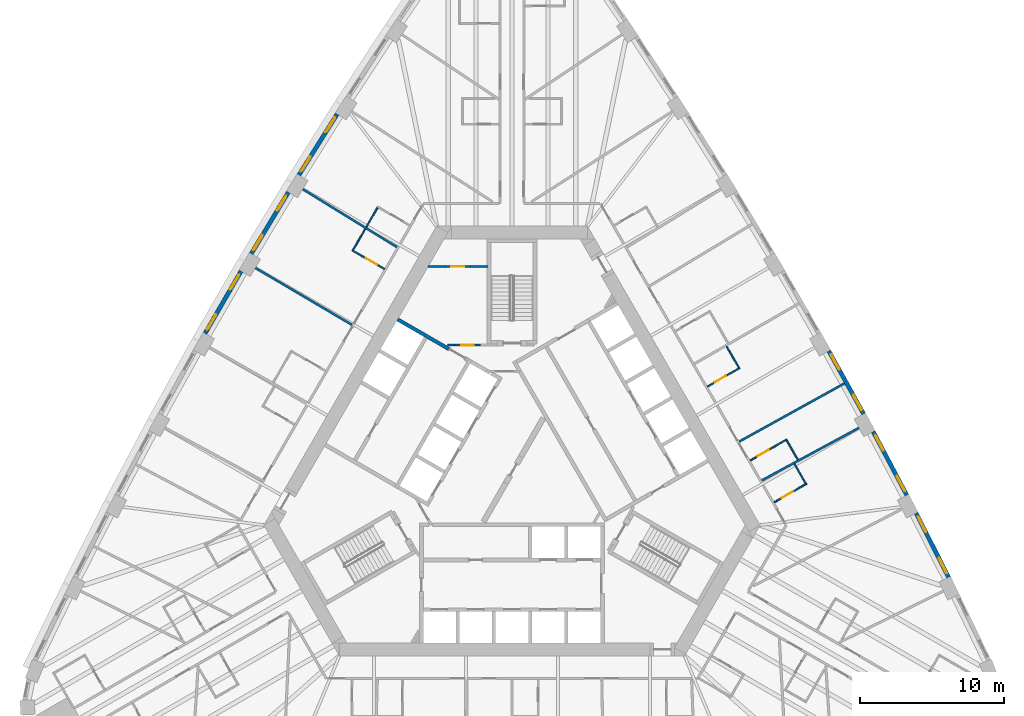
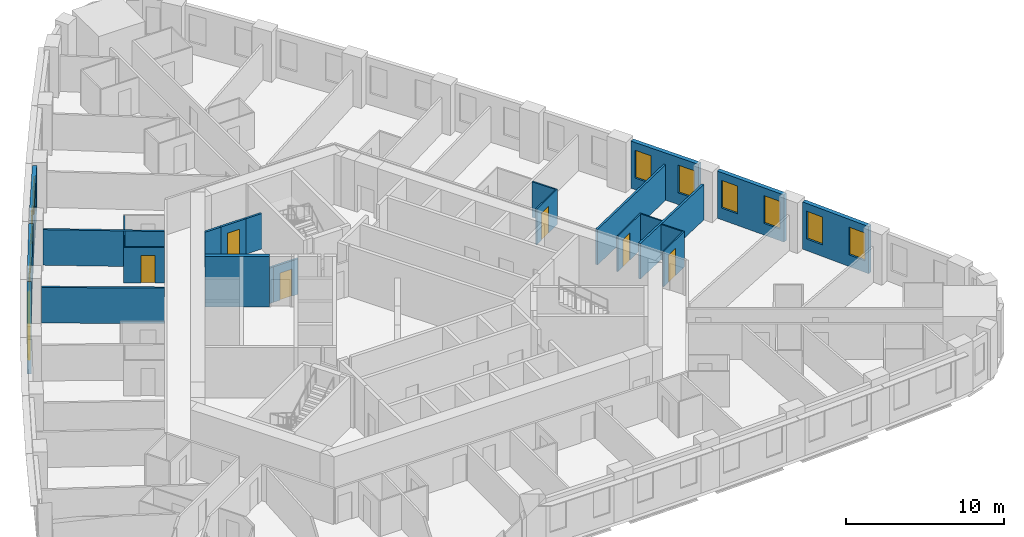
# One storey, part 9 of 13: 25 walls, 12 windows, 6 doors, 18 openings.
"""IFC4 building model written with IfcOpenShell, lengths in metres."""

from ifc_helpers import new_model, si_unit, direction, frame, frame_2d, origin, place, context, subcontext, project, spatial, rectangle, extrude, material, layer, layer_set, type_object, element, fill, save


model = new_model("IFC4")

# Units and contexts
model_context = context("Model", 3, precision=1e-05, world=origin(), true_north=direction((0.0, 1.0)))
body_context = subcontext(model_context, "Body", "Model", "MODEL_VIEW")
ifc_project = project(units=[si_unit("LENGTHUNIT", "METRE"), si_unit("AREAUNIT", "SQUARE_METRE"), si_unit("VOLUMEUNIT", "CUBIC_METRE"), si_unit("PLANEANGLEUNIT", "RADIAN"), si_unit("MASSUNIT", "GRAM", prefix="KILO")], contexts=[model_context])

# Site, building, storey
site_placement = place(None, origin())
site = spatial("IfcSite", under=ifc_project, at=site_placement, CompositionType="ELEMENT")
building_placement = place(site_placement, origin())
building = spatial("IfcBuilding", under=site, at=building_placement, Name="Mestral Congress Tower", CompositionType="ELEMENT")
storey_placement = place(building_placement, frame((0.0, 0.0, 31.5)))
storey = spatial("IfcBuildingStorey", under=building, at=storey_placement, Name="L06", CompositionType="ELEMENT", Elevation=31.5)

# Walls
ifc_material_1 = material(Name="Fire-rated board partition")
ifc_layer_1 = layer(ifc_material_1, 0.14990234375)
ifc_layer_set_1 = layer_set([ifc_layer_1], Name="Fire-rated board partition")
wall_type_1 = type_object("IfcWallType", Name="Core partition 150", PredefinedType="PARTITIONING", material=ifc_layer_set_1)
wall_1_placement = place(storey_placement, frame((-3.99658203125, 8.625244140625, 0.0), z_axis=(0.0, 0.0, 1.0), x_axis=(-1.0, 0.0, 0.0)))
element("IfcWall", 1, at=wall_1_placement, inside=storey, type_object=wall_type_1, Name="L06 core wall", PredefinedType="PARTITIONING", context=body_context, shape_type="SweptSolid", body=[
    extrude(rectangle(XDim=0.502197265625, YDim=0.14990234375, at=frame_2d((0.2509765625, 0.0))), origin(), (0.0, 0.0, 1.0), 2.75),
])
wall_2_placement = place(storey_placement, frame((-5.85107421875, 14.10205078125, 0.0), z_axis=(0.0, 0.0, 1.0), x_axis=(1.0, 0.0, 0.0)))
element("IfcWall", 2, at=wall_2_placement, inside=storey, type_object=wall_type_1, Name="L06 core wall", PredefinedType="PARTITIONING", context=body_context, shape_type="SweptSolid", body=[
    extrude(rectangle(XDim=1.18017578125, YDim=0.14990234375, at=frame_2d((0.590087890625, 0.0))), origin(), (0.0, 0.0, 1.0), 2.75),
])
wall_3_placement = place(storey_placement, frame((-2.87060546875, 14.10205078125, 0.0), z_axis=(0.0, 0.0, 1.0), x_axis=(1.0, 0.0, 0.0)))
element("IfcWall", 3, at=wall_3_placement, inside=storey, type_object=wall_type_1, Name="L06 core wall", PredefinedType="PARTITIONING", context=body_context, shape_type="SweptSolid", body=[
    extrude(rectangle(XDim=1.195556640625, YDim=0.14990234375, at=frame_2d((0.59765625, 0.0))), origin(), (0.0, 0.0, 1.0), 2.75),
])

# Wall, opening, door
wall_4_placement = place(storey_placement, frame((-2.1962890625, 8.625, 0.0), z_axis=(0.0, 0.0, 1.0), x_axis=(-1.0, 0.0, 0.0)))
wall_4 = element("IfcWall", 4, at=wall_4_placement, inside=storey, type_object=wall_type_1, Name="L06 door wall", PredefinedType="PARTITIONING", context=body_context, shape_type="SweptSolid", body=[
    extrude(rectangle(XDim=1.800048828125, YDim=0.14990234375, at=frame_2d((0.89990234375, 0.0))), origin(), (0.0, 0.0, 1.0), 2.75),
])
opening_1_placement = place(wall_4_placement, frame((0.449951171875, 0.0, 0.0)))
opening_1 = element("IfcOpeningElement", 5, at=opening_1_placement, cuts=wall_4, Name="Opening TD2", PredefinedType="OPENING", context=body_context, shape_type="SweptSolid", body=[
    extrude(rectangle(XDim=0.89990234375, YDim=2.10009765625, at=frame_2d((0.449951171875, 1.050048828125))), frame((0.0, 0.0849609375, 0.0), z_axis=(0.0, -1.0, 0.0), x_axis=(1.0, 0.0, 0.0)), (0.0, 0.0, 1.0), 0.169921875),
])
ifc_material_2 = material(Name="Fire-rated steel door set", Category="steel")
door_type_1 = type_object("IfcDoorType", Name="Core door SR 900x2100", OperationType="SINGLE_SWING_LEFT", PredefinedType="DOOR", material=ifc_material_2)
door_1_placement = place(opening_1_placement, origin())
door_1 = element("IfcDoor", 6, at=door_1_placement, inside=storey, type_object=door_type_1, Name="Door TD2", OperationType="SINGLE_SWING_LEFT", OverallHeight=2.10009765625, OverallWidth=0.89990234375, PredefinedType="DOOR", context=body_context, shape_type="SweptSolid", body=[
    extrude(rectangle(XDim=0.89990234375, YDim=2.10009765625, at=frame_2d((0.449951171875, 1.050048828125))), frame((0.0, 0.02490234375, 0.0), z_axis=(0.0, -1.0, 0.0), x_axis=(1.0, 0.0, 0.0)), (0.0, 0.0, 1.0), 0.050048828125),
])
fill(opening_1, door_1)

wall_5_placement = place(storey_placement, frame((-2.870849609375, 14.10205078125, 0.0), z_axis=(0.0, 0.0, 1.0), x_axis=(-1.0, 0.0, 0.0)))
wall_5 = element("IfcWall", 7, at=wall_5_placement, inside=storey, type_object=wall_type_1, Name="L06 door wall", PredefinedType="PARTITIONING", context=body_context, shape_type="SweptSolid", body=[
    extrude(rectangle(XDim=1.800048828125, YDim=0.14990234375, at=frame_2d((0.89990234375, 0.0))), origin(), (0.0, 0.0, 1.0), 2.75),
])
opening_2_placement = place(wall_5_placement, frame((0.449951171875, 0.0, 0.0)))
opening_2 = element("IfcOpeningElement", 8, at=opening_2_placement, cuts=wall_5, Name="Opening SD-WS2", PredefinedType="OPENING", context=body_context, shape_type="SweptSolid", body=[
    extrude(rectangle(XDim=0.89990234375, YDim=2.10009765625, at=frame_2d((0.449951171875, 1.050048828125))), frame((0.0, 0.0849609375, 0.0), z_axis=(0.0, -1.0, 0.0), x_axis=(1.0, 0.0, 0.0)), (0.0, 0.0, 1.0), 0.169921875),
])
door_2_placement = place(opening_2_placement, origin())
door_2 = element("IfcDoor", 9, at=door_2_placement, inside=storey, type_object=door_type_1, Name="Door SD-WS2", OperationType="SINGLE_SWING_LEFT", OverallHeight=2.10009765625, OverallWidth=0.89990234375, PredefinedType="DOOR", context=body_context, shape_type="SweptSolid", body=[
    extrude(rectangle(XDim=0.89990234375, YDim=2.10009765625, at=frame_2d((0.449951171875, 1.050048828125))), frame((0.0, 0.02490234375, 0.0), z_axis=(0.0, -1.0, 0.0), x_axis=(1.0, 0.0, 0.0)), (0.0, 0.0, 1.0), 0.050048828125),
])
fill(opening_2, door_2)

# Wall, openings, windows
ifc_material_3 = material(Name="Precast concrete C40/50 with limestone facing", Category="masonry")
ifc_layer_2 = layer(ifc_material_3, 0.2900390625)
ifc_layer_set_2 = layer_set([ifc_layer_2], Name="Precast concrete C40/50 with limestone facing")
wall_type_2 = type_object("IfcWallType", Name="Facade stone wall 290", PredefinedType="SOLIDWALL", material=ifc_layer_set_2)
wall_6_placement = place(storey_placement, frame((30.376953125, -7.5205078125, 0.0), z_axis=(0.0, 0.0, 1.0), x_axis=(-0.451233929645, 0.892405704115, 0.0)))
wall_6 = element("IfcWall", 10, at=wall_6_placement, inside=storey, type_object=wall_type_2, Name="Facade wall F1-01", PredefinedType="SOLIDWALL", context=body_context, shape_type="SweptSolid", body=[
    extrude(rectangle(XDim=4.998291015625, YDim=0.2900390625, at=frame_2d((2.4990234375, 0.0))), origin(), (0.0, 0.0, 1.0), 3.64990234375),
])
opening_3_placement = place(wall_6_placement, frame((0.297119140625, 0.0, 0.89990234375)))
opening_3 = element("IfcOpeningElement", 11, at=opening_3_placement, cuts=wall_6, Name="Opening W1", PredefinedType="OPENING", context=body_context, shape_type="SweptSolid", body=[
    extrude(rectangle(XDim=1.199951171875, YDim=2.14990234375, at=frame_2d((0.60009765625, 1.074951171875))), frame((0.0, 0.155029296875, 0.0), z_axis=(0.0, -1.0, 0.0), x_axis=(1.0, 0.0, 0.0)), (0.0, 0.0, 1.0), 0.31005859375),
])
opening_4_placement = place(wall_6_placement, frame((3.501220703125, 0.0, 0.89990234375)))
opening_4 = element("IfcOpeningElement", 12, at=opening_4_placement, cuts=wall_6, Name="Opening W1", PredefinedType="OPENING", context=body_context, shape_type="SweptSolid", body=[
    extrude(rectangle(XDim=1.199951171875, YDim=2.14990234375, at=frame_2d((0.60009765625, 1.074951171875))), frame((0.0, 0.155029296875, 0.0), z_axis=(0.0, -1.0, 0.0), x_axis=(1.0, 0.0, 0.0)), (0.0, 0.0, 1.0), 0.31005859375),
])
ifc_material_4 = material(Name="Clear low-emissivity double glazing", Category="glass")
window_type = type_object("IfcWindowType", Name="Facade punched window 1200 x 2150 sill 900", PartitioningType="DOUBLE_PANEL_VERTICAL", PredefinedType="WINDOW", material=ifc_material_4)
window_1_placement = place(opening_3_placement, origin())
window_1 = element("IfcWindow", 13, at=window_1_placement, inside=storey, type_object=window_type, Name="Window F1-01a", OverallHeight=2.14990234375, OverallWidth=1.199951171875, PartitioningType="DOUBLE_PANEL_VERTICAL", PredefinedType="WINDOW", context=body_context, shape_type="SweptSolid", body=[
    extrude(rectangle(XDim=1.199951171875, YDim=2.14990234375, at=frame_2d((0.60009765625, 1.074951171875))), frame((0.0, 0.01513671875, 0.0), z_axis=(0.0, -1.0, 0.0), x_axis=(1.0, 0.0, 0.0)), (0.0, 0.0, 1.0), 0.06005859375),
])
fill(opening_3, window_1)
window_2_placement = place(opening_4_placement, origin())
window_2 = element("IfcWindow", 14, at=window_2_placement, inside=storey, type_object=window_type, Name="Window F1-01b", OverallHeight=2.14990234375, OverallWidth=1.199951171875, PartitioningType="DOUBLE_PANEL_VERTICAL", PredefinedType="WINDOW", context=body_context, shape_type="SweptSolid", body=[
    extrude(rectangle(XDim=1.199951171875, YDim=2.14990234375, at=frame_2d((0.60009765625, 1.074951171875))), frame((0.0, 0.01513671875, 0.0), z_axis=(0.0, -1.0, 0.0), x_axis=(1.0, 0.0, 0.0)), (0.0, 0.0, 1.0), 0.06005859375),
])
fill(opening_4, window_2)

wall_7_placement = place(storey_placement, frame((27.47509765625, -1.810302734375, 0.0), z_axis=(0.0, 0.0, 1.0), x_axis=(-0.467629620899, 0.883924509026, 0.0)))
wall_7 = element("IfcWall", 15, at=wall_7_placement, inside=storey, type_object=wall_type_2, Name="Facade wall F1-02", PredefinedType="SOLIDWALL", context=body_context, shape_type="SweptSolid", body=[
    extrude(rectangle(XDim=4.998291015625, YDim=0.2900390625, at=frame_2d((2.4990234375, 0.0))), origin(), (0.0, 0.0, 1.0), 3.64990234375),
])
opening_5_placement = place(wall_7_placement, frame((0.297119140625, 0.0, 0.89990234375)))
opening_5 = element("IfcOpeningElement", 16, at=opening_5_placement, cuts=wall_7, Name="Opening W1", PredefinedType="OPENING", context=body_context, shape_type="SweptSolid", body=[
    extrude(rectangle(XDim=1.199951171875, YDim=2.14990234375, at=frame_2d((0.60009765625, 1.074951171875))), frame((0.0, 0.155029296875, 0.0), z_axis=(0.0, -1.0, 0.0), x_axis=(1.0, 0.0, 0.0)), (0.0, 0.0, 1.0), 0.31005859375),
])
opening_6_placement = place(wall_7_placement, frame((3.501220703125, 0.0, 0.89990234375)))
opening_6 = element("IfcOpeningElement", 17, at=opening_6_placement, cuts=wall_7, Name="Opening W1", PredefinedType="OPENING", context=body_context, shape_type="SweptSolid", body=[
    extrude(rectangle(XDim=1.199951171875, YDim=2.14990234375, at=frame_2d((0.60009765625, 1.074951171875))), frame((0.0, 0.155029296875, 0.0), z_axis=(0.0, -1.0, 0.0), x_axis=(1.0, 0.0, 0.0)), (0.0, 0.0, 1.0), 0.31005859375),
])
window_3_placement = place(opening_5_placement, origin())
window_3 = element("IfcWindow", 18, at=window_3_placement, inside=storey, type_object=window_type, Name="Window F1-02a", OverallHeight=2.14990234375, OverallWidth=1.199951171875, PartitioningType="DOUBLE_PANEL_VERTICAL", PredefinedType="WINDOW", context=body_context, shape_type="SweptSolid", body=[
    extrude(rectangle(XDim=1.199951171875, YDim=2.14990234375, at=frame_2d((0.60009765625, 1.074951171875))), frame((0.0, 0.01513671875, 0.0), z_axis=(0.0, -1.0, 0.0), x_axis=(1.0, 0.0, 0.0)), (0.0, 0.0, 1.0), 0.06005859375),
])
fill(opening_5, window_3)
window_4_placement = place(opening_6_placement, origin())
window_4 = element("IfcWindow", 19, at=window_4_placement, inside=storey, type_object=window_type, Name="Window F1-02b", OverallHeight=2.14990234375, OverallWidth=1.199951171875, PartitioningType="DOUBLE_PANEL_VERTICAL", PredefinedType="WINDOW", context=body_context, shape_type="SweptSolid", body=[
    extrude(rectangle(XDim=1.199951171875, YDim=2.14990234375, at=frame_2d((0.60009765625, 1.074951171875))), frame((0.0, 0.01513671875, 0.0), z_axis=(0.0, -1.0, 0.0), x_axis=(1.0, 0.0, 0.0)), (0.0, 0.0, 1.0), 0.06005859375),
])
fill(opening_6, window_4)

wall_8_placement = place(storey_placement, frame((24.46826171875, 3.845703125, 0.0), z_axis=(0.0, 0.0, 1.0), x_axis=(-0.483912572871, 0.875116347589, 0.0)))
wall_8 = element("IfcWall", 20, at=wall_8_placement, inside=storey, type_object=wall_type_2, Name="Facade wall F1-03", PredefinedType="SOLIDWALL", context=body_context, shape_type="SweptSolid", body=[
    extrude(rectangle(XDim=4.998291015625, YDim=0.2900390625, at=frame_2d((2.4990234375, 0.0))), origin(), (0.0, 0.0, 1.0), 3.64990234375),
])
opening_7_placement = place(wall_8_placement, frame((0.297119140625, 0.0, 0.89990234375)))
opening_7 = element("IfcOpeningElement", 21, at=opening_7_placement, cuts=wall_8, Name="Opening W1", PredefinedType="OPENING", context=body_context, shape_type="SweptSolid", body=[
    extrude(rectangle(XDim=1.199951171875, YDim=2.14990234375, at=frame_2d((0.60009765625, 1.074951171875))), frame((0.0, 0.155029296875, 0.0), z_axis=(0.0, -1.0, 0.0), x_axis=(1.0, 0.0, 0.0)), (0.0, 0.0, 1.0), 0.31005859375),
])
opening_8_placement = place(wall_8_placement, frame((3.501220703125, 0.0, 0.89990234375)))
opening_8 = element("IfcOpeningElement", 22, at=opening_8_placement, cuts=wall_8, Name="Opening W1", PredefinedType="OPENING", context=body_context, shape_type="SweptSolid", body=[
    extrude(rectangle(XDim=1.199951171875, YDim=2.14990234375, at=frame_2d((0.60009765625, 1.074951171875))), frame((0.0, 0.155029296875, 0.0), z_axis=(0.0, -1.0, 0.0), x_axis=(1.0, 0.0, 0.0)), (0.0, 0.0, 1.0), 0.31005859375),
])
window_5_placement = place(opening_7_placement, origin())
window_5 = element("IfcWindow", 23, at=window_5_placement, inside=storey, type_object=window_type, Name="Window F1-03a", OverallHeight=2.14990234375, OverallWidth=1.199951171875, PartitioningType="DOUBLE_PANEL_VERTICAL", PredefinedType="WINDOW", context=body_context, shape_type="SweptSolid", body=[
    extrude(rectangle(XDim=1.199951171875, YDim=2.14990234375, at=frame_2d((0.60009765625, 1.074951171875))), frame((0.0, 0.01513671875, 0.0), z_axis=(0.0, -1.0, 0.0), x_axis=(1.0, 0.0, 0.0)), (0.0, 0.0, 1.0), 0.06005859375),
])
fill(opening_7, window_5)
window_6_placement = place(opening_8_placement, origin())
window_6 = element("IfcWindow", 24, at=window_6_placement, inside=storey, type_object=window_type, Name="Window F1-03b", OverallHeight=2.14990234375, OverallWidth=1.199951171875, PartitioningType="DOUBLE_PANEL_VERTICAL", PredefinedType="WINDOW", context=body_context, shape_type="SweptSolid", body=[
    extrude(rectangle(XDim=1.199951171875, YDim=2.14990234375, at=frame_2d((0.60009765625, 1.074951171875))), frame((0.0, 0.01513671875, 0.0), z_axis=(0.0, -1.0, 0.0), x_axis=(1.0, 0.0, 0.0)), (0.0, 0.0, 1.0), 0.06005859375),
])
fill(opening_8, window_6)

wall_9_placement = place(storey_placement, frame((-12.169921875, 24.69921875, 0.0), z_axis=(0.0, 0.0, 1.0), x_axis=(-0.531688286542, -0.846940119462, 0.0)))
wall_9 = element("IfcWall", 25, at=wall_9_placement, inside=storey, type_object=wall_type_2, Name="Facade wall F2-02", PredefinedType="SOLIDWALL", context=body_context, shape_type="SweptSolid", body=[
    extrude(rectangle(XDim=4.998291015625, YDim=0.2900390625, at=frame_2d((2.4990234375, 0.0))), origin(), (0.0, 0.0, 1.0), 3.64990234375),
])
opening_9_placement = place(wall_9_placement, frame((0.297119140625, 0.0, 0.89990234375)))
opening_9 = element("IfcOpeningElement", 26, at=opening_9_placement, cuts=wall_9, Name="Opening W1", PredefinedType="OPENING", context=body_context, shape_type="SweptSolid", body=[
    extrude(rectangle(XDim=1.199951171875, YDim=2.14990234375, at=frame_2d((0.60009765625, 1.074951171875))), frame((0.0, 0.155029296875, 0.0), z_axis=(0.0, -1.0, 0.0), x_axis=(1.0, 0.0, 0.0)), (0.0, 0.0, 1.0), 0.31005859375),
])
opening_10_placement = place(wall_9_placement, frame((3.501220703125, 0.0, 0.89990234375)))
opening_10 = element("IfcOpeningElement", 27, at=opening_10_placement, cuts=wall_9, Name="Opening W1", PredefinedType="OPENING", context=body_context, shape_type="SweptSolid", body=[
    extrude(rectangle(XDim=1.199951171875, YDim=2.14990234375, at=frame_2d((0.60009765625, 1.074951171875))), frame((0.0, 0.155029296875, 0.0), z_axis=(0.0, -1.0, 0.0), x_axis=(1.0, 0.0, 0.0)), (0.0, 0.0, 1.0), 0.31005859375),
])
window_7_placement = place(opening_9_placement, origin())
window_7 = element("IfcWindow", 28, at=window_7_placement, inside=storey, type_object=window_type, Name="Window F2-02a", OverallHeight=2.14990234375, OverallWidth=1.199951171875, PartitioningType="DOUBLE_PANEL_VERTICAL", PredefinedType="WINDOW", context=body_context, shape_type="SweptSolid", body=[
    extrude(rectangle(XDim=1.199951171875, YDim=2.14990234375, at=frame_2d((0.60009765625, 1.074951171875))), frame((0.0, 0.01513671875, 0.0), z_axis=(0.0, -1.0, 0.0), x_axis=(1.0, 0.0, 0.0)), (0.0, 0.0, 1.0), 0.06005859375),
])
fill(opening_9, window_7)
window_8_placement = place(opening_10_placement, origin())
window_8 = element("IfcWindow", 29, at=window_8_placement, inside=storey, type_object=window_type, Name="Window F2-02b", OverallHeight=2.14990234375, OverallWidth=1.199951171875, PartitioningType="DOUBLE_PANEL_VERTICAL", PredefinedType="WINDOW", context=body_context, shape_type="SweptSolid", body=[
    extrude(rectangle(XDim=1.199951171875, YDim=2.14990234375, at=frame_2d((0.60009765625, 1.074951171875))), frame((0.0, 0.01513671875, 0.0), z_axis=(0.0, -1.0, 0.0), x_axis=(1.0, 0.0, 0.0)), (0.0, 0.0, 1.0), 0.06005859375),
])
fill(opening_10, window_8)

wall_10_placement = place(storey_placement, frame((-15.564453125, 19.267333984375, 0.0), z_axis=(0.0, 0.0, 1.0), x_axis=(-0.515938796285, -0.856625448191, 0.0)))
wall_10 = element("IfcWall", 30, at=wall_10_placement, inside=storey, type_object=wall_type_2, Name="Facade wall F2-03", PredefinedType="SOLIDWALL", context=body_context, shape_type="SweptSolid", body=[
    extrude(rectangle(XDim=4.998291015625, YDim=0.2900390625, at=frame_2d((2.4990234375, 0.0))), origin(), (0.0, 0.0, 1.0), 3.64990234375),
])
opening_11_placement = place(wall_10_placement, frame((0.297119140625, 0.0, 0.89990234375)))
opening_11 = element("IfcOpeningElement", 31, at=opening_11_placement, cuts=wall_10, Name="Opening W1", PredefinedType="OPENING", context=body_context, shape_type="SweptSolid", body=[
    extrude(rectangle(XDim=1.199951171875, YDim=2.14990234375, at=frame_2d((0.60009765625, 1.074951171875))), frame((0.0, 0.155029296875, 0.0), z_axis=(0.0, -1.0, 0.0), x_axis=(1.0, 0.0, 0.0)), (0.0, 0.0, 1.0), 0.31005859375),
])
opening_12_placement = place(wall_10_placement, frame((3.501220703125, 0.0, 0.89990234375)))
opening_12 = element("IfcOpeningElement", 32, at=opening_12_placement, cuts=wall_10, Name="Opening W1", PredefinedType="OPENING", context=body_context, shape_type="SweptSolid", body=[
    extrude(rectangle(XDim=1.199951171875, YDim=2.14990234375, at=frame_2d((0.60009765625, 1.074951171875))), frame((0.0, 0.155029296875, 0.0), z_axis=(0.0, -1.0, 0.0), x_axis=(1.0, 0.0, 0.0)), (0.0, 0.0, 1.0), 0.31005859375),
])
window_9_placement = place(opening_11_placement, origin())
window_9 = element("IfcWindow", 33, at=window_9_placement, inside=storey, type_object=window_type, Name="Window F2-03a", OverallHeight=2.14990234375, OverallWidth=1.199951171875, PartitioningType="DOUBLE_PANEL_VERTICAL", PredefinedType="WINDOW", context=body_context, shape_type="SweptSolid", body=[
    extrude(rectangle(XDim=1.199951171875, YDim=2.14990234375, at=frame_2d((0.60009765625, 1.074951171875))), frame((0.0, 0.01513671875, 0.0), z_axis=(0.0, -1.0, 0.0), x_axis=(1.0, 0.0, 0.0)), (0.0, 0.0, 1.0), 0.06005859375),
])
fill(opening_11, window_9)
window_10_placement = place(opening_12_placement, origin())
window_10 = element("IfcWindow", 34, at=window_10_placement, inside=storey, type_object=window_type, Name="Window F2-03b", OverallHeight=2.14990234375, OverallWidth=1.199951171875, PartitioningType="DOUBLE_PANEL_VERTICAL", PredefinedType="WINDOW", context=body_context, shape_type="SweptSolid", body=[
    extrude(rectangle(XDim=1.199951171875, YDim=2.14990234375, at=frame_2d((0.60009765625, 1.074951171875))), frame((0.0, 0.01513671875, 0.0), z_axis=(0.0, -1.0, 0.0), x_axis=(1.0, 0.0, 0.0)), (0.0, 0.0, 1.0), 0.06005859375),
])
fill(opening_12, window_10)

wall_11_placement = place(storey_placement, frame((-18.85791015625, 13.7734375, 0.0), z_axis=(0.0, 0.0, 1.0), x_axis=(-0.50002123722, -0.866013142123, 0.0)))
wall_11 = element("IfcWall", 35, at=wall_11_placement, inside=storey, type_object=wall_type_2, Name="Facade wall F2-04", PredefinedType="SOLIDWALL", context=body_context, shape_type="SweptSolid", body=[
    extrude(rectangle(XDim=4.998291015625, YDim=0.2900390625, at=frame_2d((2.4990234375, 0.0))), origin(), (0.0, 0.0, 1.0), 3.64990234375),
])
opening_13_placement = place(wall_11_placement, frame((0.297119140625, 0.0, 0.89990234375)))
opening_13 = element("IfcOpeningElement", 36, at=opening_13_placement, cuts=wall_11, Name="Opening W1", PredefinedType="OPENING", context=body_context, shape_type="SweptSolid", body=[
    extrude(rectangle(XDim=1.199951171875, YDim=2.14990234375, at=frame_2d((0.60009765625, 1.074951171875))), frame((0.0, 0.155029296875, 0.0), z_axis=(0.0, -1.0, 0.0), x_axis=(1.0, 0.0, 0.0)), (0.0, 0.0, 1.0), 0.31005859375),
])
opening_14_placement = place(wall_11_placement, frame((3.501220703125, 0.0, 0.89990234375)))
opening_14 = element("IfcOpeningElement", 37, at=opening_14_placement, cuts=wall_11, Name="Opening W1", PredefinedType="OPENING", context=body_context, shape_type="SweptSolid", body=[
    extrude(rectangle(XDim=1.199951171875, YDim=2.14990234375, at=frame_2d((0.60009765625, 1.074951171875))), frame((0.0, 0.155029296875, 0.0), z_axis=(0.0, -1.0, 0.0), x_axis=(1.0, 0.0, 0.0)), (0.0, 0.0, 1.0), 0.31005859375),
])
window_11_placement = place(opening_13_placement, origin())
window_11 = element("IfcWindow", 38, at=window_11_placement, inside=storey, type_object=window_type, Name="Window F2-04a", OverallHeight=2.14990234375, OverallWidth=1.199951171875, PartitioningType="DOUBLE_PANEL_VERTICAL", PredefinedType="WINDOW", context=body_context, shape_type="SweptSolid", body=[
    extrude(rectangle(XDim=1.199951171875, YDim=2.14990234375, at=frame_2d((0.60009765625, 1.074951171875))), frame((0.0, 0.01513671875, 0.0), z_axis=(0.0, -1.0, 0.0), x_axis=(1.0, 0.0, 0.0)), (0.0, 0.0, 1.0), 0.06005859375),
])
fill(opening_13, window_11)
window_12_placement = place(opening_14_placement, origin())
window_12 = element("IfcWindow", 39, at=window_12_placement, inside=storey, type_object=window_type, Name="Window F2-04b", OverallHeight=2.14990234375, OverallWidth=1.199951171875, PartitioningType="DOUBLE_PANEL_VERTICAL", PredefinedType="WINDOW", context=body_context, shape_type="SweptSolid", body=[
    extrude(rectangle(XDim=1.199951171875, YDim=2.14990234375, at=frame_2d((0.60009765625, 1.074951171875))), frame((0.0, 0.01513671875, 0.0), z_axis=(0.0, -1.0, 0.0), x_axis=(1.0, 0.0, 0.0)), (0.0, 0.0, 1.0), 0.06005859375),
])
fill(opening_14, window_12)

# Wall, opening, door
ifc_material_5 = material(Name="Gypsum board partition on metal studs with mineral wool", Category="composite")
ifc_layer_3 = layer(ifc_material_5, 0.10009765625)
ifc_layer_set_3 = layer_set([ifc_layer_3], Name="Gypsum board partition on metal studs with mineral wool")
wall_type_3 = type_object("IfcWallType", Name="Hotel partition wall 100", PredefinedType="PARTITIONING", material=ifc_layer_set_3)
wall_12_placement = place(storey_placement, frame((18.25048828125, -2.31103515625, 0.0), z_axis=(0.0, 0.0, 1.0), x_axis=(0.866021400173, 0.500006934395, 0.0)))
wall_12 = element("IfcWall", 40, at=wall_12_placement, inside=storey, type_object=wall_type_3, Name="L06-h-pod13a", PredefinedType="PARTITIONING", context=body_context, shape_type="SweptSolid", body=[
    extrude(rectangle(XDim=2.60009765625, YDim=0.10009765625, at=frame_2d((1.300048828125, 0.0))), origin(), (0.0, 0.0, 1.0), 2.75),
])
opening_15_placement = place(wall_12_placement, frame((0.60009765625, 0.0, 0.0)))
opening_15 = element("IfcOpeningElement", 41, at=opening_15_placement, cuts=wall_12, Name="Opening H01-025", PredefinedType="OPENING", context=body_context, shape_type="SweptSolid", body=[
    extrude(rectangle(XDim=0.89990234375, YDim=2.10009765625, at=frame_2d((0.449951171875, 1.050048828125))), frame((0.0, 0.06005859375, 0.0), z_axis=(0.0, -1.0, 0.0), x_axis=(1.0, 0.0, 0.0)), (0.0, 0.0, 1.0), 0.1201171875),
])
ifc_material_6 = material(Name="Timber veneer door leaf in timber frame", Category="wood")
door_type_2 = type_object("IfcDoorType", Name="Bathroom door 900", OperationType="SINGLE_SWING_LEFT", PredefinedType="DOOR", material=ifc_material_6)
door_3_placement = place(opening_15_placement, origin())
door_3 = element("IfcDoor", 42, at=door_3_placement, inside=storey, type_object=door_type_2, Name="L06-h-d025", OperationType="SINGLE_SWING_LEFT", OverallHeight=2.10009765625, OverallWidth=0.89990234375, PredefinedType="DOOR", context=body_context, shape_type="SweptSolid", body=[
    extrude(rectangle(XDim=0.89990234375, YDim=2.10009765625, at=frame_2d((0.449951171875, 1.050048828125))), frame((0.0, 0.02490234375, 0.0), z_axis=(0.0, -1.0, 0.0), x_axis=(1.0, 0.0, 0.0)), (0.0, 0.0, 1.0), 0.050048828125),
])
fill(opening_15, door_3)

# Wall
wall_13_placement = place(storey_placement, frame((20.43408203125, -0.99267578125, 0.0), z_axis=(0.0, 0.0, 1.0), x_axis=(-0.500086022567, 0.865975732936, 0.0)))
element("IfcWall", 43, at=wall_13_placement, inside=storey, type_object=wall_type_3, Name="L06-h-pod13b", PredefinedType="PARTITIONING", context=body_context, shape_type="SweptSolid", body=[
    extrude(rectangle(XDim=1.550048828125, YDim=0.10009765625, at=frame_2d((0.77490234375, 0.0))), origin(), (0.0, 0.0, 1.0), 2.75),
])

# Wall, opening, door
wall_14_placement = place(storey_placement, frame((19.127197265625, 2.070556640625, 0.0), z_axis=(0.0, 0.0, 1.0), x_axis=(-0.866003658127, -0.500037662692, 0.0)))
wall_14 = element("IfcWall", 44, at=wall_14_placement, inside=storey, type_object=wall_type_3, Name="L06-h-pod14a", PredefinedType="PARTITIONING", context=body_context, shape_type="SweptSolid", body=[
    extrude(rectangle(XDim=2.949951171875, YDim=0.10009765625, at=frame_2d((1.47509765625, 0.0))), origin(), (0.0, 0.0, 1.0), 2.75),
])
opening_16_placement = place(wall_14_placement, frame((1.449951171875, 0.0, 0.0)))
opening_16 = element("IfcOpeningElement", 45, at=opening_16_placement, cuts=wall_14, Name="Opening H01-027", PredefinedType="OPENING", context=body_context, shape_type="SweptSolid", body=[
    extrude(rectangle(XDim=0.89990234375, YDim=2.10009765625, at=frame_2d((0.449951171875, 1.050048828125))), frame((0.0, 0.06005859375, 0.0), z_axis=(0.0, -1.0, 0.0), x_axis=(1.0, 0.0, 0.0)), (0.0, 0.0, 1.0), 0.1201171875),
])
door_4_placement = place(opening_16_placement, origin())
door_4 = element("IfcDoor", 46, at=door_4_placement, inside=storey, type_object=door_type_2, Name="L06-h-d027", OperationType="SINGLE_SWING_LEFT", OverallHeight=2.10009765625, OverallWidth=0.89990234375, PredefinedType="DOOR", context=body_context, shape_type="SweptSolid", body=[
    extrude(rectangle(XDim=0.89990234375, YDim=2.10009765625, at=frame_2d((0.449951171875, 1.050048828125))), frame((0.0, 0.02490234375, 0.0), z_axis=(0.0, -1.0, 0.0), x_axis=(1.0, 0.0, 0.0)), (0.0, 0.0, 1.0), 0.050048828125),
])
fill(opening_16, door_4)

# Wall
wall_15_placement = place(storey_placement, frame((19.10888671875, 2.002197265625, 0.0), z_axis=(0.0, 0.0, 1.0), x_axis=(0.500086022567, -0.865975732936, 0.0)))
element("IfcWall", 47, at=wall_15_placement, inside=storey, type_object=wall_type_3, Name="L06-h-pod14b", PredefinedType="PARTITIONING", context=body_context, shape_type="SweptSolid", body=[
    extrude(rectangle(XDim=1.550048828125, YDim=0.10009765625, at=frame_2d((0.77490234375, 0.0))), origin(), (0.0, 0.0, 1.0), 2.75),
])

# Wall, opening, door
wall_16_placement = place(storey_placement, frame((13.60009765625, 5.743896484375, 0.0), z_axis=(0.0, 0.0, 1.0), x_axis=(0.866021400173, 0.500006934395, 0.0)))
wall_16 = element("IfcWall", 48, at=wall_16_placement, inside=storey, type_object=wall_type_3, Name="L06-h-pod15a", PredefinedType="PARTITIONING", context=body_context, shape_type="SweptSolid", body=[
    extrude(rectangle(XDim=2.60009765625, YDim=0.10009765625, at=frame_2d((1.300048828125, 0.0))), origin(), (0.0, 0.0, 1.0), 2.75),
])
opening_17_placement = place(wall_16_placement, frame((0.60009765625, 0.0, 0.0)))
opening_17 = element("IfcOpeningElement", 49, at=opening_17_placement, cuts=wall_16, Name="Opening H01-029", PredefinedType="OPENING", context=body_context, shape_type="SweptSolid", body=[
    extrude(rectangle(XDim=0.89990234375, YDim=2.10009765625, at=frame_2d((0.449951171875, 1.050048828125))), frame((0.0, 0.06005859375, 0.0), z_axis=(0.0, -1.0, 0.0), x_axis=(1.0, 0.0, 0.0)), (0.0, 0.0, 1.0), 0.1201171875),
])
door_5_placement = place(opening_17_placement, origin())
door_5 = element("IfcDoor", 50, at=door_5_placement, inside=storey, type_object=door_type_2, Name="L06-h-d029", OperationType="SINGLE_SWING_RIGHT", OverallHeight=2.10009765625, OverallWidth=0.89990234375, PredefinedType="DOOR", context=body_context, shape_type="SweptSolid", body=[
    extrude(rectangle(XDim=0.89990234375, YDim=2.10009765625, at=frame_2d((0.449951171875, 1.050048828125))), frame((0.0, 0.02490234375, 0.0), z_axis=(0.0, -1.0, 0.0), x_axis=(1.0, 0.0, 0.0)), (0.0, 0.0, 1.0), 0.050048828125),
])
fill(opening_17, door_5)

# Walls
wall_17_placement = place(storey_placement, frame((15.778564453125, 7.07080078125, 0.0), z_axis=(0.0, 0.0, 1.0), x_axis=(-0.499976720371, 0.866038843867, 0.0)))
element("IfcWall", 51, at=wall_17_placement, inside=storey, type_object=wall_type_3, Name="L06-h-pod15b", PredefinedType="PARTITIONING", context=body_context, shape_type="SweptSolid", body=[
    extrude(rectangle(XDim=1.68994140625, YDim=0.10009765625, at=frame_2d((0.844970703125, 0.0))), origin(), (0.0, 0.0, 1.0), 2.75),
])
wall_18_placement = place(storey_placement, frame((-9.362060546875, 18.184326171875, 0.0), z_axis=(0.0, 0.0, 1.0), x_axis=(-0.499992328818, -0.866029832698, 0.0)))
element("IfcWall", 52, at=wall_18_placement, inside=storey, type_object=wall_type_3, Name="L06-h-pod23b", PredefinedType="PARTITIONING", context=body_context, shape_type="SweptSolid", body=[
    extrude(rectangle(XDim=1.5400390625, YDim=0.10009765625, at=frame_2d((0.77001953125, 0.0))), origin(), (0.0, 0.0, 1.0), 2.75),
])

# Wall, opening, door
wall_19_placement = place(storey_placement, frame((-11.12890625, 15.22412109375, 0.0), z_axis=(0.0, 0.0, 1.0), x_axis=(0.866021400173, -0.500006934395, 0.0)))
wall_19 = element("IfcWall", 53, at=wall_19_placement, inside=storey, type_object=wall_type_3, Name="L06-h-pod24a", PredefinedType="PARTITIONING", context=body_context, shape_type="SweptSolid", body=[
    extrude(rectangle(XDim=2.60009765625, YDim=0.10009765625, at=frame_2d((1.300048828125, 0.0))), origin(), (0.0, 0.0, 1.0), 2.75),
])
opening_18_placement = place(wall_19_placement, frame((1.10009765625, 0.0, 0.0)))
opening_18 = element("IfcOpeningElement", 54, at=opening_18_placement, cuts=wall_19, Name="Opening H01-046", PredefinedType="OPENING", context=body_context, shape_type="SweptSolid", body=[
    extrude(rectangle(XDim=0.89990234375, YDim=2.10009765625, at=frame_2d((0.449951171875, 1.050048828125))), frame((0.0, 0.06005859375, 0.0), z_axis=(0.0, -1.0, 0.0), x_axis=(1.0, 0.0, 0.0)), (0.0, 0.0, 1.0), 0.1201171875),
])
door_6_placement = place(opening_18_placement, origin())
door_6 = element("IfcDoor", 55, at=door_6_placement, inside=storey, type_object=door_type_2, Name="L06-h-d046", OperationType="SINGLE_SWING_RIGHT", OverallHeight=2.10009765625, OverallWidth=0.89990234375, PredefinedType="DOOR", context=body_context, shape_type="SweptSolid", body=[
    extrude(rectangle(XDim=0.89990234375, YDim=2.10009765625, at=frame_2d((0.449951171875, 1.050048828125))), frame((0.0, 0.02490234375, 0.0), z_axis=(0.0, -1.0, 0.0), x_axis=(1.0, 0.0, 0.0)), (0.0, 0.0, 1.0), 0.050048828125),
])
fill(opening_18, door_6)

# Walls
wall_20_placement = place(storey_placement, frame((-11.060791015625, 15.2421875, 0.0), z_axis=(0.0, 0.0, 1.0), x_axis=(0.499976720371, 0.866038843867, 0.0)))
element("IfcWall", 56, at=wall_20_placement, inside=storey, type_object=wall_type_3, Name="L06-h-pod24b", PredefinedType="PARTITIONING", context=body_context, shape_type="SweptSolid", body=[
    extrude(rectangle(XDim=1.68994140625, YDim=0.10009765625, at=frame_2d((0.844970703125, 0.0))), origin(), (0.0, 0.0, 1.0), 2.75),
])
ifc_layer_4 = layer(ifc_material_5, 0.14990234375)
ifc_layer_set_4 = layer_set([ifc_layer_4], Name="Gypsum board partition on metal studs with mineral wool")
wall_type_4 = type_object("IfcWallType", Name="Hotel partition wall 150", PredefinedType="PARTITIONING", material=ifc_layer_set_4)
wall_21_placement = place(storey_placement, frame((-17.85595703125, 13.999267578125, 0.0), z_axis=(0.0, 0.0, 1.0), x_axis=(0.861371519381, -0.507975497047, 0.0)))
element("IfcWall", 57, at=wall_21_placement, inside=storey, type_object=wall_type_4, Name="L06-h-pw09", PredefinedType="PARTITIONING", context=body_context, shape_type="SweptSolid", body=[
    extrude(rectangle(XDim=7.8037109375, YDim=0.14990234375, at=frame_2d((3.90185546875, 0.0))), origin(), (0.0, 0.0, 1.0), 2.75),
])
wall_22_placement = place(storey_placement, frame((-14.55810546875, 19.474609375, 0.0), z_axis=(0.0, 0.0, 1.0), x_axis=(0.851829455142, -0.523819223925, 0.0)))
element("IfcWall", 58, at=wall_22_placement, inside=storey, type_object=wall_type_4, Name="L06-h-pw11", PredefinedType="PARTITIONING", context=body_context, shape_type="SweptSolid", body=[
    extrude(rectangle(XDim=7.68798828125, YDim=0.14990234375, at=frame_2d((3.843994140625, 0.0))), origin(), (0.0, 0.0, 1.0), 2.75),
])
wall_23_placement = place(storey_placement, frame((23.1318359375, 5.96240234375, 0.0), z_axis=(0.0, 0.0, 1.0), x_axis=(-0.875121716713, -0.483902863121, 0.0)))
element("IfcWall", 59, at=wall_23_placement, inside=storey, type_object=wall_type_4, Name="L06-h-pw24", PredefinedType="PARTITIONING", context=body_context, shape_type="SweptSolid", body=[
    extrude(rectangle(XDim=8.35546875, YDim=0.14990234375, at=frame_2d((4.177734375, 0.0))), origin(), (0.0, 0.0, 1.0), 2.75),
])
wall_24_placement = place(storey_placement, frame((24.14453125, 2.87060546875, 0.0), z_axis=(0.0, 0.0, 1.0), x_axis=(-0.879551725039, -0.475803281809, 0.0)))
element("IfcWall", 60, at=wall_24_placement, inside=storey, type_object=wall_type_4, Name="L06-h-pw26", PredefinedType="PARTITIONING", context=body_context, shape_type="SweptSolid", body=[
    extrude(rectangle(XDim=7.68798828125, YDim=0.14990234375, at=frame_2d((3.843994140625, 0.0))), origin(), (0.0, 0.0, 1.0), 2.75),
])
ifc_material_7 = material(Name="Concrete C60/75", Category="concrete")
ifc_layer_5 = layer(ifc_material_7, 0.25)
ifc_layer_set_5 = layer_set([ifc_layer_5], Name="Concrete C60/75")
wall_type_5 = type_object("IfcWallType", Name="Shaft wall RC 250", PredefinedType="SOLIDWALL", material=ifc_layer_set_5)
wall_25_placement = place(storey_placement, frame((-7.958984375, 10.414794921875, 0.0), z_axis=(0.0, 0.0, 1.0), x_axis=(0.866020958405, -0.500007699544, 0.0)))
element("IfcWall", 61, at=wall_25_placement, inside=storey, type_object=wall_type_5, Name="L06 core wall", PredefinedType="SOLIDWALL", context=body_context, shape_type="SweptSolid", body=[
    extrude(rectangle(XDim=4.099609375, YDim=0.25, at=frame_2d((2.0498046875, 0.0))), origin(), (0.0, 0.0, 1.0), 3.89990234375),
])

save(model, "model.ifc")
